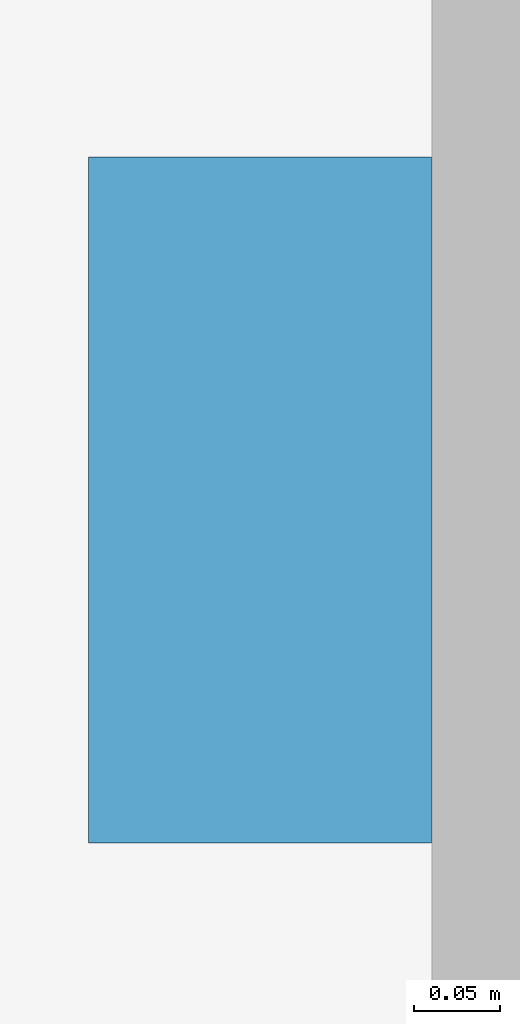
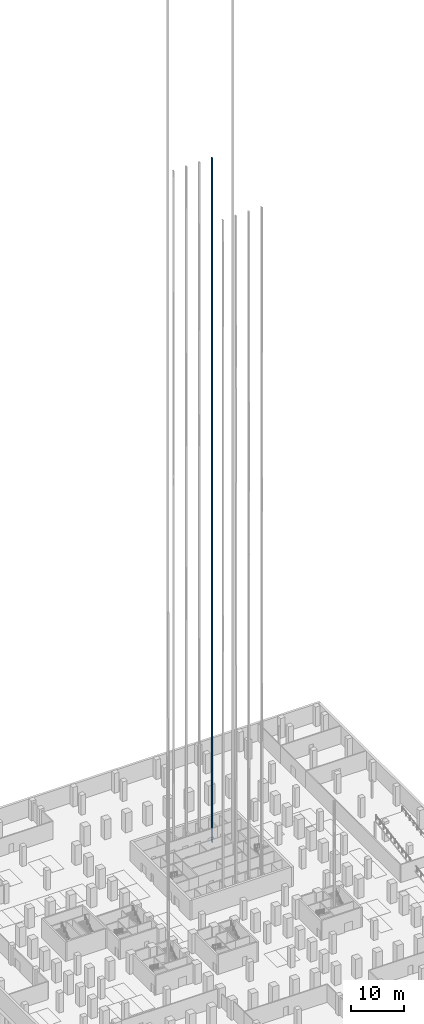
# One storey, part 33 of 37: 1 discrete accessory.
"""IFC4 building model written with IfcOpenShell, lengths in metres."""

import ifcopenshell
import ifcopenshell.guid

model = None  # the IFC model being written
_history = None  # IfcOwnerHistory: only IFC2X3 demands one
_inside = {}  # id of a spatial element -> (the spatial element, [elements in it])
_under = {}  # id of a project, library or spatial element -> (it, [spatial elements below it])
_declared = {}  # id of a project -> (the project, [libraries it declares])
_typed = {}  # id of a type object -> (the type object, [elements of that type])
_made_of = {}  # id of a material, layer set ... -> (it, [elements and type objects made of it])


def new_model(schema):
    """Start an empty IFC model of exactly this schema.

    Asked for "IFC4X3", IfcOpenShell would pick the latest addendum, in which some entities
    have other attributes; the version numbers below select the first issue.
    IFC2X3 requires an IfcOwnerHistory on every rooted entity: one is made here for all.
    """
    global model, _history
    if schema == "IFC4X3":
        model = ifcopenshell.file(schema_version=(4, 3, 0, 0))
    else:
        model = ifcopenshell.file(schema=schema)
    _inside.clear()
    _under.clear()
    _declared.clear()
    _typed.clear()
    _made_of.clear()
    _history = None
    if model.schema == "IFC2X3":
        org = make("IfcOrganization", Name="unknown")
        user = make(
            "IfcPersonAndOrganization",
            ThePerson=make("IfcPerson", FamilyName="unknown"),
            TheOrganization=org,
        )
        app = make(
            "IfcApplication",
            ApplicationDeveloper=org,
            Version="unknown",
            ApplicationFullName="unknown",
            ApplicationIdentifier="unknown",
        )
        _history = make(
            "IfcOwnerHistory",
            OwningUser=user,
            OwningApplication=app,
            ChangeAction="ADDED",
            CreationDate=0,
        )
    return model


def make(cls, **values):
    """One entity of the class cls with the attributes given. An attribute that is None is left unset."""
    return model.create_entity(
        cls, **{name: value for name, value in values.items() if value is not None}
    )


def rooted(cls, **values):
    """An entity with a GlobalId (a new one), such as an element, a storey or a relation."""
    return make(cls, GlobalId=ifcopenshell.guid.new(), OwnerHistory=_history, **values)


def si_unit(unit_type, name, prefix=None):
    """IfcSIUnit, for example si_unit("LENGTHUNIT", "METRE", prefix="MILLI")."""
    return make("IfcSIUnit", UnitType=unit_type, Prefix=prefix, Name=name)


def assignment(units):
    """IfcUnitAssignment: the units of a project."""
    return None if units is None else make("IfcUnitAssignment", Units=units)


def point(xyz):
    """IfcCartesianPoint."""
    return None if xyz is None else make("IfcCartesianPoint", Coordinates=xyz)


def direction(xyz):
    """IfcDirection."""
    return None if xyz is None else make("IfcDirection", DirectionRatios=xyz)


def frame(location, z_axis=None, x_axis=None):
    """IfcAxis2Placement3D, a coordinate frame: its origin and axes. An axis left out is left unset."""
    return make(
        "IfcAxis2Placement3D",
        Location=point(location),
        Axis=direction(z_axis),
        RefDirection=direction(x_axis),
    )


def frame_2d(location, x_axis=None):
    """IfcAxis2Placement2D, a coordinate frame in the plane: its origin and x axis."""
    return make(
        "IfcAxis2Placement2D", Location=point(location), RefDirection=direction(x_axis)
    )


def origin():
    """The frame at (0, 0, 0) with its axes left unset."""
    return frame((0.0, 0.0, 0.0))


def origin_2d():
    """The frame at (0, 0) in the plane with its x axis left unset."""
    return frame_2d((0.0, 0.0))


def place(relative_to, where):
    """IfcLocalPlacement: puts the frame where relative to a parent placement (None: the world)."""
    return make(
        "IfcLocalPlacement", PlacementRelTo=relative_to, RelativePlacement=where
    )


def context(
    kind, dimensions, precision=None, world=None, true_north=None, identifier=None
):
    """IfcGeometricRepresentationContext, for example the 3D "Model" context."""
    return make(
        "IfcGeometricRepresentationContext",
        ContextIdentifier=identifier,
        ContextType=kind,
        CoordinateSpaceDimension=dimensions,
        Precision=precision,
        WorldCoordinateSystem=world,
        TrueNorth=true_north,
    )


def subcontext(parent, identifier, kind, view, scale=None):
    """IfcGeometricRepresentationSubContext, for example "Body" below "Model"."""
    return make(
        "IfcGeometricRepresentationSubContext",
        ContextIdentifier=identifier,
        ContextType=kind,
        ParentContext=parent,
        TargetScale=scale,
        TargetView=view,
    )


def project(units=None, contexts=None):
    """IfcProject with its units and contexts."""
    return rooted(
        "IfcProject",
        Name="project",
        RepresentationContexts=contexts,
        UnitsInContext=assignment(units),
    )


def spatial(cls, under=None, at=None, **own):
    """A site, building, storey or space (cls), placed at a placement, below another one or the project."""
    s = rooted(cls, ObjectPlacement=at, **own)
    if under is not None:
        _under.setdefault(under.id(), (under, []))[1].append(s)
    return s


def profile(cls, at=None, kind="AREA", **sizes):
    """A parametric profile (cls). Its sizes go by their IFC names, for example OverallWidth=200.0."""
    return make(cls, ProfileType=kind, Position=at, **sizes)


def rectangle(**sizes):
    """IfcRectangleProfileDef."""
    return profile("IfcRectangleProfileDef", **sizes)


def extrude(swept, where, along, depth):
    """IfcExtrudedAreaSolid: the profile swept, set in the frame where, extruded along a direction by depth."""
    return make(
        "IfcExtrudedAreaSolid",
        SweptArea=swept,
        Position=where,
        ExtrudedDirection=direction(along),
        Depth=depth,
    )


def shape(context_of_items, identifier, shape_type, items):
    """IfcShapeRepresentation: the items that make up one representation, for example the "Body"."""
    return make(
        "IfcShapeRepresentation",
        ContextOfItems=context_of_items,
        RepresentationIdentifier=identifier,
        RepresentationType=shape_type,
        Items=items,
    )


def material(Name=None, Category=None):
    """IfcMaterial."""
    return make("IfcMaterial", Name=Name, Category=Category)


def made_of(thing, what):
    """Note that an element or type object is made of a material, layer set ...; save() writes the relation."""
    if what is not None:
        _made_of.setdefault(what.id(), (what, []))[1].append(thing)
    return thing


def element(
    cls,
    number,
    at=None,
    inside=None,
    cuts=None,
    type_object=None,
    material=None,
    context=None,
    identifier="Body",
    shape_type=None,
    held_by="IfcProductDefinitionShape",
    body=None,
    shapes=None,
    **own,
):
    """One element of the class cls, such as IfcWall. Its Tag is "e" and its number.

    at: its placement. inside: the storey or other place that contains it. cuts: it is an
    opening in that element (IfcRelVoidsElement). A single representation is given by context,
    identifier, shape_type and body (its items); several are given by shapes. held_by: the class
    of the entity that holds the representations. save() writes the other relations.
    """
    e = rooted(cls, Tag="e%d" % number, ObjectPlacement=at, **own)
    if body is not None:
        shapes = [shape(context, identifier, shape_type, body)]
    if shapes is not None:
        e.Representation = make(held_by, Representations=shapes)
    if inside is not None:
        _inside.setdefault(inside.id(), (inside, []))[1].append(e)
    if cuts is not None:
        rooted(
            "IfcRelVoidsElement", RelatingBuildingElement=cuts, RelatedOpeningElement=e
        )
    if type_object is not None:
        _typed.setdefault(type_object.id(), (type_object, []))[1].append(e)
    return made_of(e, material)


def aggregate(whole, parts):
    """IfcRelAggregates: a whole, such as a stair, and the parts it consists of."""
    return rooted("IfcRelAggregates", RelatingObject=whole, RelatedObjects=parts)


def save(model, path):
    """Write the relations noted so far, then the file.

    IfcRelAggregates (storeys below a building ...), IfcRelContainedInSpatialStructure (elements
    in a storey), IfcRelDefinesByType, IfcRelAssociatesMaterial and IfcRelDeclares: one each for
    every whole, place, type object, material and project.
    """
    for whole, parts in _under.values():
        aggregate(whole, parts)
    for where, things in _inside.values():
        rooted(
            "IfcRelContainedInSpatialStructure",
            RelatedElements=things,
            RelatingStructure=where,
        )
    for kind, things in _typed.values():
        rooted("IfcRelDefinesByType", RelatedObjects=things, RelatingType=kind)
    for what, things in _made_of.values():
        rooted("IfcRelAssociatesMaterial", RelatedObjects=things, RelatingMaterial=what)
    for by, libraries in _declared.values():
        rooted("IfcRelDeclares", RelatingContext=by, RelatedDefinitions=libraries)
    model.write(path)


model = new_model("IFC4")

# Units and contexts
model_context = context("Model", 3, precision=1e-05, world=origin(), true_north=direction((0.0, 1.0)))
body_context = subcontext(model_context, "Body", "Model", "MODEL_VIEW")
ifc_project = project(units=[si_unit("LENGTHUNIT", "METRE"), si_unit("AREAUNIT", "SQUARE_METRE"), si_unit("VOLUMEUNIT", "CUBIC_METRE"), si_unit("PLANEANGLEUNIT", "RADIAN"), si_unit("MASSUNIT", "GRAM", prefix="KILO")], contexts=[model_context])

# Site, building, storey
site_placement = place(None, origin())
site = spatial("IfcSite", under=ifc_project, at=site_placement, CompositionType="ELEMENT")
building_placement = place(site_placement, origin())
building = spatial("IfcBuilding", under=site, at=building_placement, Name="Quoin Convention Tower", CompositionType="ELEMENT")
storey_placement = place(building_placement, frame((0.0, 0.0, -9.0)))
storey = spatial("IfcBuildingStorey", under=building, at=storey_placement, Name="B2", CompositionType="ELEMENT", Elevation=-9.0)

# Discrete accessory
ifc_material = material(Name="Galvanised steel", Category="steel")
discrete_accessory_placement = place(storey_placement, frame((61.64990234375, 70.050048828125, -0.349853515625), z_axis=(0.0, 0.0, 1.0), x_axis=(1.0, 0.0, 0.0)))
element("IfcDiscreteAccessory", 1, at=discrete_accessory_placement, inside=storey, material=ifc_material, Name="LIFT GUIDE RAILS L8", ObjectType="Lift guide rails", PredefinedType="USERDEFINED", context=body_context, shape_type="SweptSolid", body=[
    extrude(rectangle(XDim=0.199951171875, YDim=0.39990234375, at=origin_2d()), origin(), (0.0, 0.0, 1.0), 156.89990234375),
])

save(model, "model.ifc")
